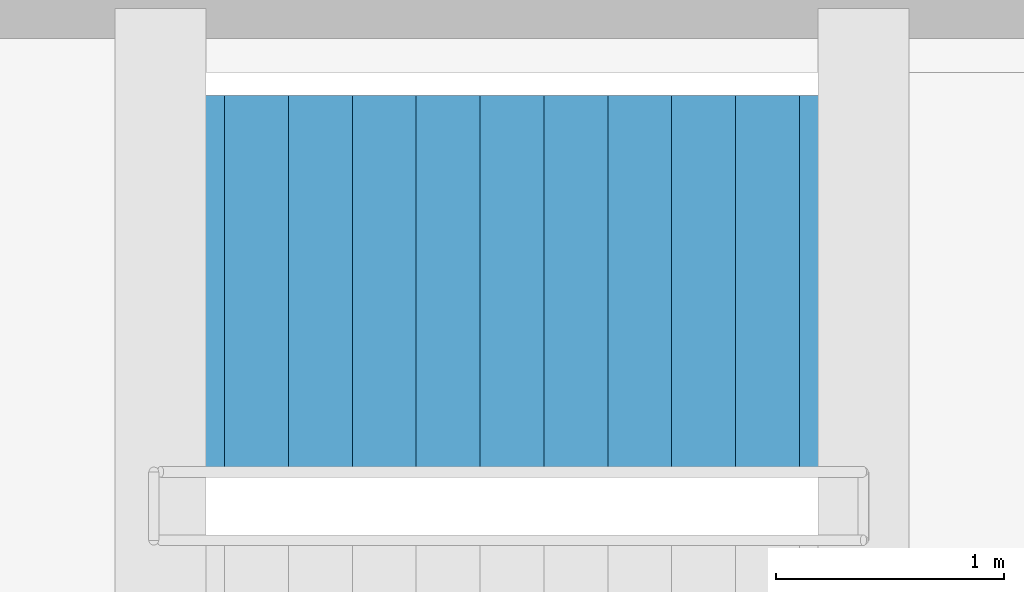
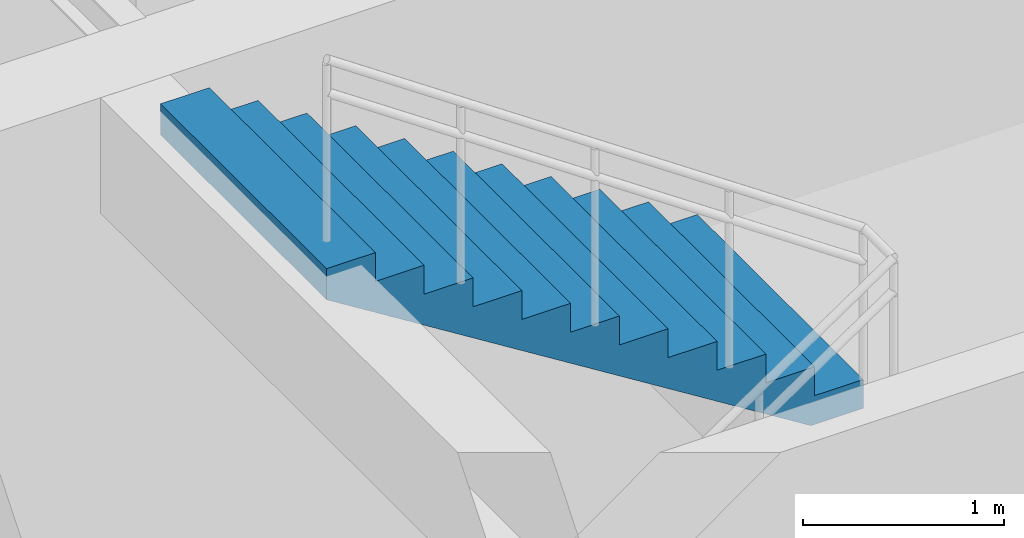
# One storey, part 18 of 20: 1 stair flight, 1 element without a shape of its own.
"""IFC4 building model written with IfcOpenShell, lengths in metres."""

import ifcopenshell
import ifcopenshell.guid

model = None  # the IFC model being written
_history = None  # IfcOwnerHistory: only IFC2X3 demands one
_inside = {}  # id of a spatial element -> (the spatial element, [elements in it])
_under = {}  # id of a project, library or spatial element -> (it, [spatial elements below it])
_declared = {}  # id of a project -> (the project, [libraries it declares])
_typed = {}  # id of a type object -> (the type object, [elements of that type])
_made_of = {}  # id of a material, layer set ... -> (it, [elements and type objects made of it])


def new_model(schema):
    """Start an empty IFC model of exactly this schema.

    Asked for "IFC4X3", IfcOpenShell would pick the latest addendum, in which some entities
    have other attributes; the version numbers below select the first issue.
    IFC2X3 requires an IfcOwnerHistory on every rooted entity: one is made here for all.
    """
    global model, _history
    if schema == "IFC4X3":
        model = ifcopenshell.file(schema_version=(4, 3, 0, 0))
    else:
        model = ifcopenshell.file(schema=schema)
    _inside.clear()
    _under.clear()
    _declared.clear()
    _typed.clear()
    _made_of.clear()
    _history = None
    if model.schema == "IFC2X3":
        org = make("IfcOrganization", Name="unknown")
        user = make(
            "IfcPersonAndOrganization",
            ThePerson=make("IfcPerson", FamilyName="unknown"),
            TheOrganization=org,
        )
        app = make(
            "IfcApplication",
            ApplicationDeveloper=org,
            Version="unknown",
            ApplicationFullName="unknown",
            ApplicationIdentifier="unknown",
        )
        _history = make(
            "IfcOwnerHistory",
            OwningUser=user,
            OwningApplication=app,
            ChangeAction="ADDED",
            CreationDate=0,
        )
    return model


def make(cls, **values):
    """One entity of the class cls with the attributes given. An attribute that is None is left unset."""
    return model.create_entity(
        cls, **{name: value for name, value in values.items() if value is not None}
    )


def rooted(cls, **values):
    """An entity with a GlobalId (a new one), such as an element, a storey or a relation."""
    return make(cls, GlobalId=ifcopenshell.guid.new(), OwnerHistory=_history, **values)


def si_unit(unit_type, name, prefix=None):
    """IfcSIUnit, for example si_unit("LENGTHUNIT", "METRE", prefix="MILLI")."""
    return make("IfcSIUnit", UnitType=unit_type, Prefix=prefix, Name=name)


def assignment(units):
    """IfcUnitAssignment: the units of a project."""
    return None if units is None else make("IfcUnitAssignment", Units=units)


def point(xyz):
    """IfcCartesianPoint."""
    return None if xyz is None else make("IfcCartesianPoint", Coordinates=xyz)


def direction(xyz):
    """IfcDirection."""
    return None if xyz is None else make("IfcDirection", DirectionRatios=xyz)


def frame(location, z_axis=None, x_axis=None):
    """IfcAxis2Placement3D, a coordinate frame: its origin and axes. An axis left out is left unset."""
    return make(
        "IfcAxis2Placement3D",
        Location=point(location),
        Axis=direction(z_axis),
        RefDirection=direction(x_axis),
    )


def origin():
    """The frame at (0, 0, 0) with its axes left unset."""
    return frame((0.0, 0.0, 0.0))


def place(relative_to, where):
    """IfcLocalPlacement: puts the frame where relative to a parent placement (None: the world)."""
    return make(
        "IfcLocalPlacement", PlacementRelTo=relative_to, RelativePlacement=where
    )


def context(
    kind, dimensions, precision=None, world=None, true_north=None, identifier=None
):
    """IfcGeometricRepresentationContext, for example the 3D "Model" context."""
    return make(
        "IfcGeometricRepresentationContext",
        ContextIdentifier=identifier,
        ContextType=kind,
        CoordinateSpaceDimension=dimensions,
        Precision=precision,
        WorldCoordinateSystem=world,
        TrueNorth=true_north,
    )


def subcontext(parent, identifier, kind, view, scale=None):
    """IfcGeometricRepresentationSubContext, for example "Body" below "Model"."""
    return make(
        "IfcGeometricRepresentationSubContext",
        ContextIdentifier=identifier,
        ContextType=kind,
        ParentContext=parent,
        TargetScale=scale,
        TargetView=view,
    )


def project(units=None, contexts=None):
    """IfcProject with its units and contexts."""
    return rooted(
        "IfcProject",
        Name="project",
        RepresentationContexts=contexts,
        UnitsInContext=assignment(units),
    )


def spatial(cls, under=None, at=None, **own):
    """A site, building, storey or space (cls), placed at a placement, below another one or the project."""
    s = rooted(cls, ObjectPlacement=at, **own)
    if under is not None:
        _under.setdefault(under.id(), (under, []))[1].append(s)
    return s


def polyline(points):
    """IfcPolyline through the points."""
    return make("IfcPolyline", Points=[point(p) for p in points])


def outline(outer, holes=None, kind="AREA"):
    """IfcArbitraryClosedProfileDef: a profile drawn as a closed curve; with holes, ...WithVoids."""
    if holes is None:
        return make("IfcArbitraryClosedProfileDef", ProfileType=kind, OuterCurve=outer)
    return make(
        "IfcArbitraryProfileDefWithVoids",
        ProfileType=kind,
        OuterCurve=outer,
        InnerCurves=holes,
    )


def extrude(swept, where, along, depth):
    """IfcExtrudedAreaSolid: the profile swept, set in the frame where, extruded along a direction by depth."""
    return make(
        "IfcExtrudedAreaSolid",
        SweptArea=swept,
        Position=where,
        ExtrudedDirection=direction(along),
        Depth=depth,
    )


def shape(context_of_items, identifier, shape_type, items):
    """IfcShapeRepresentation: the items that make up one representation, for example the "Body"."""
    return make(
        "IfcShapeRepresentation",
        ContextOfItems=context_of_items,
        RepresentationIdentifier=identifier,
        RepresentationType=shape_type,
        Items=items,
    )


def material(Name=None, Category=None):
    """IfcMaterial."""
    return make("IfcMaterial", Name=Name, Category=Category)


def made_of(thing, what):
    """Note that an element or type object is made of a material, layer set ...; save() writes the relation."""
    if what is not None:
        _made_of.setdefault(what.id(), (what, []))[1].append(thing)
    return thing


def type_object(cls, material=None, **own):
    """A type object (cls), such as IfcWallType, which elements share."""
    return made_of(rooted(cls, **own), material)


def element(
    cls,
    number,
    at=None,
    inside=None,
    cuts=None,
    type_object=None,
    material=None,
    context=None,
    identifier="Body",
    shape_type=None,
    held_by="IfcProductDefinitionShape",
    body=None,
    shapes=None,
    **own,
):
    """One element of the class cls, such as IfcWall. Its Tag is "e" and its number.

    at: its placement. inside: the storey or other place that contains it. cuts: it is an
    opening in that element (IfcRelVoidsElement). A single representation is given by context,
    identifier, shape_type and body (its items); several are given by shapes. held_by: the class
    of the entity that holds the representations. save() writes the other relations.
    """
    e = rooted(cls, Tag="e%d" % number, ObjectPlacement=at, **own)
    if body is not None:
        shapes = [shape(context, identifier, shape_type, body)]
    if shapes is not None:
        e.Representation = make(held_by, Representations=shapes)
    if inside is not None:
        _inside.setdefault(inside.id(), (inside, []))[1].append(e)
    if cuts is not None:
        rooted(
            "IfcRelVoidsElement", RelatingBuildingElement=cuts, RelatedOpeningElement=e
        )
    if type_object is not None:
        _typed.setdefault(type_object.id(), (type_object, []))[1].append(e)
    return made_of(e, material)


def aggregate(whole, parts):
    """IfcRelAggregates: a whole, such as a stair, and the parts it consists of."""
    return rooted("IfcRelAggregates", RelatingObject=whole, RelatedObjects=parts)


def save(model, path):
    """Write the relations noted so far, then the file.

    IfcRelAggregates (storeys below a building ...), IfcRelContainedInSpatialStructure (elements
    in a storey), IfcRelDefinesByType, IfcRelAssociatesMaterial and IfcRelDeclares: one each for
    every whole, place, type object, material and project.
    """
    for whole, parts in _under.values():
        aggregate(whole, parts)
    for where, things in _inside.values():
        rooted(
            "IfcRelContainedInSpatialStructure",
            RelatedElements=things,
            RelatingStructure=where,
        )
    for kind, things in _typed.values():
        rooted("IfcRelDefinesByType", RelatedObjects=things, RelatingType=kind)
    for what, things in _made_of.values():
        rooted("IfcRelAssociatesMaterial", RelatedObjects=things, RelatingMaterial=what)
    for by, libraries in _declared.values():
        rooted("IfcRelDeclares", RelatingContext=by, RelatedDefinitions=libraries)
    model.write(path)


model = new_model("IFC4")

# Units and contexts
model_context = context("Model", 3, precision=1e-05, world=origin(), true_north=direction((0.0, 1.0)))
body_context = subcontext(model_context, "Body", "Model", "MODEL_VIEW")
ifc_project = project(units=[si_unit("LENGTHUNIT", "METRE"), si_unit("AREAUNIT", "SQUARE_METRE"), si_unit("VOLUMEUNIT", "CUBIC_METRE"), si_unit("PLANEANGLEUNIT", "RADIAN"), si_unit("MASSUNIT", "GRAM", prefix="KILO")], contexts=[model_context])

# Site, building, storey
site_placement = place(None, origin())
site = spatial("IfcSite", under=ifc_project, at=site_placement, CompositionType="ELEMENT")
building_placement = place(site_placement, origin())
building = spatial("IfcBuilding", under=site, at=building_placement, Name="Varnela Railside Interchange", CompositionType="ELEMENT")
storey_placement = place(building_placement, frame((0.0, 0.0, 28.0)))
storey = spatial("IfcBuildingStorey", under=building, at=storey_placement, Name="L06", CompositionType="ELEMENT", Elevation=28.0)

# Stair, stair flight
ifc_material = material(Name="Concrete C40", Category="concrete")
stair_type = type_object("IfcStairType", Name="Core Pressurized Stair ST-165", PredefinedType="TWO_STRAIGHT_RUN_STAIR", material=ifc_material)
stair_placement = place(storey_placement, origin())
stair = element("IfcStair", 1, at=stair_placement, inside=storey, type_object=stair_type, Name="Stair ST-T3 (L06) (SF-217)", PredefinedType="TWO_STRAIGHT_RUN_STAIR")
stair_flight_type = type_object("IfcStairFlightType", Name="Concrete Stair Flight SF-165", PredefinedType="STRAIGHT", material=ifc_material)
stair_flight_placement = place(storey_placement, frame((17.47998046875, 68.675048828125, 2.10009765625), z_axis=(0.0, 0.0, 1.0), x_axis=(-1.0, 0.0, 0.0)))
stair_flight = element("IfcStairFlight", 2, at=stair_flight_placement, type_object=stair_flight_type, Name="ST-T3 flight 2 (SF-219)", NumberOfRisers=12, NumberOfTreads=11, PredefinedType="STRAIGHT", RiserHeight=0.175, TreadLength=0.28, context=body_context, shape_type="SweptSolid", body=[
    extrude(outline(polyline([(0.0, 0.0), (0.0, 0.175048828125), (0.280029296875, 0.175048828125), (0.280029296875, 0.35009765625), (0.56005859375, 0.35009765625), (0.56005859375, 0.52490234375), (0.840087890625, 0.52490234375), (0.840087890625, 0.699951171875), (1.1201171875, 0.699951171875), (1.1201171875, 0.875), (1.39990234375, 0.875), (1.39990234375, 1.050048828125), (1.679931640625, 1.050048828125), (1.679931640625, 1.22509765625), (1.9599609375, 1.22509765625), (1.9599609375, 1.39990234375), (2.239990234375, 1.39990234375), (2.239990234375, 1.574951171875), (2.52001953125, 1.574951171875), (2.52001953125, 1.75), (2.800048828125, 1.75), (2.800048828125, 1.925048828125), (3.080078125, 1.925048828125), (3.080078125, 2.10009765625), (3.080078125, 1.736328125), (0.3017578125, 0.0), (0.0, 0.0)])), frame((0.0, 0.824951171875, 0.0), z_axis=(0.0, -1.0, 0.0), x_axis=(1.0, 0.0, 0.0)), (0.0, 0.0, 1.0), 1.64990234375),
])
aggregate(stair, [stair_flight])

save(model, "model.ifc")
